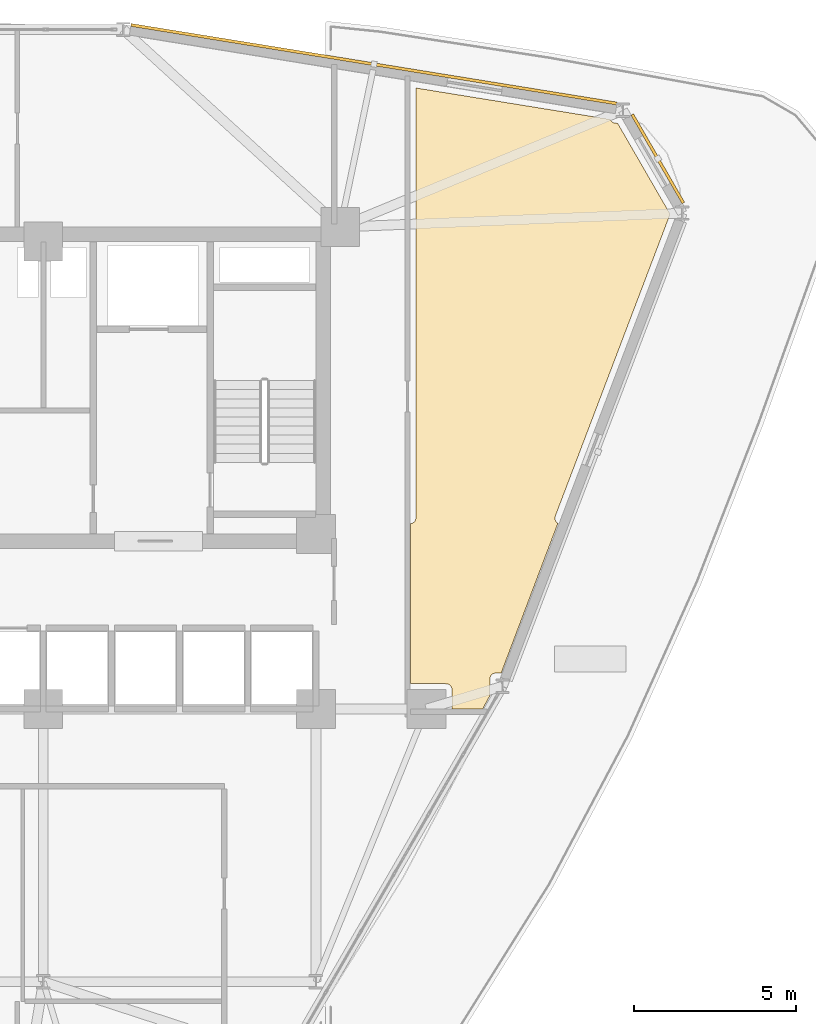
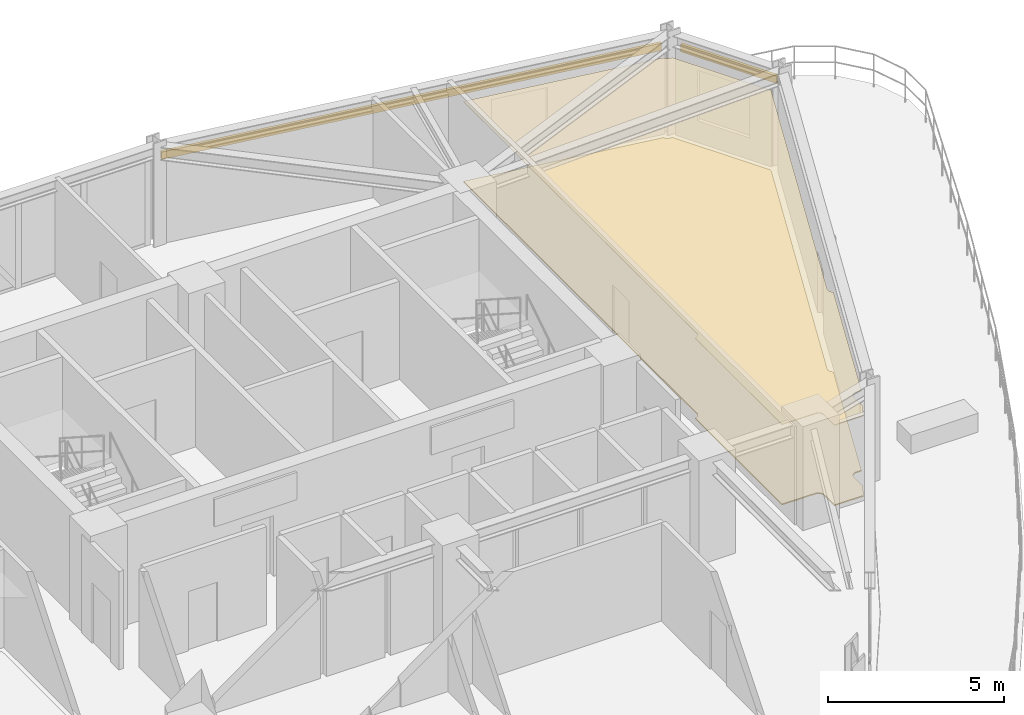
# One storey, part 18 of 18: 2 coverings, 2 shading devices.
"""IFC4 building model written with IfcOpenShell, lengths in metres."""

from ifc_helpers import new_model, si_unit, derived_unit, direction, frame, origin, origin_2d, place, context, subcontext, project, spatial, polyline, hollow_rectangle, outline, extrude, source, transform, mapped, material, layer, layer_set, material_profile, profile_set, type_object, element, save


model = new_model("IFC4")

# Units and contexts
model_context = context("Model", 3, precision=1e-05, world=origin(), true_north=direction((0.0, 1.0)))
body_context = subcontext(model_context, "Body", "Model", "MODEL_VIEW")
ifc_project = project(units=[si_unit("LENGTHUNIT", "METRE"), si_unit("AREAUNIT", "SQUARE_METRE"), si_unit("VOLUMEUNIT", "CUBIC_METRE"), si_unit("PLANEANGLEUNIT", "RADIAN"), si_unit("MASSUNIT", "GRAM", prefix="KILO"), derived_unit("THERMALTRANSMITTANCEUNIT", [(si_unit("POWERUNIT", "WATT"), 1), (si_unit("LENGTHUNIT", "METRE"), -2), (si_unit("THERMODYNAMICTEMPERATUREUNIT", "KELVIN"), -1)])], contexts=[model_context])

# Site, building, storey
site_placement = place(None, origin())
site = spatial("IfcSite", under=ifc_project, at=site_placement, CompositionType="ELEMENT")
building_placement = place(site_placement, origin())
building = spatial("IfcBuilding", under=site, at=building_placement, Name="Korsvarv Bourse and Concert Hall", CompositionType="ELEMENT")
storey_placement = place(building_placement, frame((0.0, 0.0, 136.199951171875)))
storey = spatial("IfcBuildingStorey", under=building, at=storey_placement, Name="L34", CompositionType="ELEMENT", Elevation=136.199951171875)

# Coverings
ifc_material_1 = material(Name="Perforated mineral-wool and birch acoustic baffle ceiling", Category="wood")
ifc_layer_1 = layer(ifc_material_1, 0.02490234375)
ifc_layer_set_1 = layer_set([ifc_layer_1], Name="Perforated mineral-wool and birch acoustic baffle ceiling")
covering_type_1 = type_object("IfcCoveringType", Name="COV-CEIL-1", PredefinedType="CEILING", material=ifc_layer_set_1)
covering_1_placement = place(storey_placement, frame((0.0, 0.0, 2.780029296875)))
element("IfcCovering", 1, at=covering_1_placement, inside=storey, type_object=covering_type_1, Name="L34 acoustic baffle ceiling 1", PredefinedType="CEILING", context=body_context, shape_type="SweptSolid", body=[
    extrude(outline(polyline([(47.320068359375, 38.111328125), (47.34521484375, 38.11572265625), (47.37939453125, 38.12841796875), (47.41015625, 38.147705078125), (47.4365234375, 38.1728515625), (47.45751953125, 38.20263671875), (47.4716796875, 38.236083984375), (47.47900390625, 38.271728515625), (47.47998046875, 51.533935546875), (53.472900390625, 50.564697265625), (53.48291015625, 50.542724609375), (53.50341796875, 50.512939453125), (53.529296875, 50.48779296875), (53.56005859375, 50.468505859375), (53.59375, 50.455810546875), (53.62939453125, 50.44970703125), (53.695556640625, 50.44580078125), (55.290283203125, 47.683837890625), (55.290283203125, 47.59326171875), (51.7744140625, 38.343505859375), (51.764892578125, 38.30810546875), (51.762939453125, 38.271728515625), (51.76806640625, 38.235595703125), (51.780517578125, 38.201416015625), (51.799560546875, 38.17041015625), (51.824462890625, 38.143798828125), (51.854248046875, 38.12255859375), (50.1083984375, 33.510009765625), (49.940185546875, 33.510009765625), (49.905517578125, 33.506591796875), (49.872314453125, 33.49658203125), (49.84130859375, 33.48046875), (49.814208984375, 33.458740234375), (49.7919921875, 33.43212890625), (49.77490234375, 33.401611328125), (49.764404296875, 33.36865234375), (49.760009765625, 33.333984375), (49.75, 32.888916015625), (49.752685546875, 32.853759765625), (49.762451171875, 32.819580078125), (49.52978515625, 32.394775390625), (49.5048828125, 32.402099609375), (49.469482421875, 32.405517578125), (48.590087890625, 32.4091796875), (48.590087890625, 33.0), (48.586669921875, 33.034912109375), (48.576416015625, 33.068603515625), (48.56005859375, 33.099609375), (48.537841796875, 33.126708984375), (48.5107421875, 33.149169921875), (48.47998046875, 33.166015625), (48.4462890625, 33.17626953125), (48.41162109375, 33.179931640625), (47.320068359375, 33.18896484375), (47.320068359375, 38.111328125)])), origin(), (0.0, 0.0, 1.0), 0.02490234375),
])
ifc_material_2 = material(Name="Calcium-sulphate raised access trading floor with Nordic oak top", Category="wood")
ifc_layer_2 = layer(ifc_material_2, 0.0400390625)
ifc_layer_set_2 = layer_set([ifc_layer_2], Name="Calcium-sulphate raised access trading floor with Nordic oak top")
covering_type_2 = type_object("IfcCoveringType", Name="COV-FLOR-1", PredefinedType="FLOORING", material=ifc_layer_set_2)
covering_2_placement = place(storey_placement, origin())
element("IfcCovering", 2, at=covering_2_placement, inside=storey, type_object=covering_type_2, Name="L34 raised access oak floor finish 1", PredefinedType="FLOORING", context=body_context, shape_type="SweptSolid", body=[
    extrude(outline(polyline([(47.320068359375, 38.111328125), (47.34521484375, 38.11572265625), (47.37939453125, 38.12841796875), (47.41015625, 38.147705078125), (47.4365234375, 38.1728515625), (47.45751953125, 38.20263671875), (47.4716796875, 38.236083984375), (47.47900390625, 38.271728515625), (47.47998046875, 51.533935546875), (53.472900390625, 50.564697265625), (53.48291015625, 50.542724609375), (53.50341796875, 50.512939453125), (53.529296875, 50.48779296875), (53.56005859375, 50.468505859375), (53.59375, 50.455810546875), (53.62939453125, 50.44970703125), (53.695556640625, 50.44580078125), (55.290283203125, 47.683837890625), (55.290283203125, 47.59326171875), (51.7744140625, 38.343505859375), (51.764892578125, 38.30810546875), (51.762939453125, 38.271728515625), (51.76806640625, 38.235595703125), (51.780517578125, 38.201416015625), (51.799560546875, 38.17041015625), (51.824462890625, 38.143798828125), (51.854248046875, 38.12255859375), (50.1083984375, 33.510009765625), (49.940185546875, 33.510009765625), (49.905517578125, 33.506591796875), (49.872314453125, 33.49658203125), (49.84130859375, 33.48046875), (49.814208984375, 33.458740234375), (49.7919921875, 33.43212890625), (49.77490234375, 33.401611328125), (49.764404296875, 33.36865234375), (49.760009765625, 33.333984375), (49.75, 32.888916015625), (49.752685546875, 32.853759765625), (49.762451171875, 32.819580078125), (49.52978515625, 32.394775390625), (49.5048828125, 32.402099609375), (49.469482421875, 32.405517578125), (48.590087890625, 32.4091796875), (48.590087890625, 33.0), (48.586669921875, 33.034912109375), (48.576416015625, 33.068603515625), (48.56005859375, 33.099609375), (48.537841796875, 33.126708984375), (48.5107421875, 33.149169921875), (48.47998046875, 33.166015625), (48.4462890625, 33.17626953125), (48.41162109375, 33.179931640625), (47.320068359375, 33.18896484375), (47.320068359375, 38.111328125)])), origin(), (0.0, 0.0, 1.0), 0.0400390625),
])

# Shading devices
ifc_material_3 = material(Name="Glazed extruded architectural terracotta", Category="ceramic")
ifc_material_profile = material_profile(ifc_material_3, hollow_rectangle(XDim=0.090087890625, YDim=0.260009765625, WallThickness=0.011962890625, at=origin_2d()), Name="TC-BAG 90x260")
ifc_profile_set = profile_set([ifc_material_profile], Name="Glazed extruded architectural terracotta")
shading_device_type = type_object("IfcShadingDeviceType", Name="SHD-BAG-1", PredefinedType="USERDEFINED", material=ifc_profile_set)
shared_shape_1 = source(origin(), body_context, "Body", "SweptSolid", [
    extrude(hollow_rectangle(XDim=0.090087890625, YDim=0.260009765625, WallThickness=0.011962890625, at=origin_2d()), origin(), (0.0, 0.0, 1.0), 3.1455078125),
])
shading_device_1_placement = place(storey_placement, frame((55.718017578125, 47.992919921875, 2.840087890625), z_axis=(-0.499995674689, 0.86602790099, 0.0), x_axis=(-0.86602790099, -0.499995674689, 0.0)))
element("IfcShadingDevice", 3, at=shading_device_1_placement, inside=storey, type_object=shading_device_type, Name="L34 terracotta baguette sunshade EW-L34-B01", ObjectType="BAGUETTE", PredefinedType="USERDEFINED", context=body_context, shape_type="MappedRepresentation", body=[
    mapped(shared_shape_1, transform((0.0, 0.0, 0.0), scale=1.0)),
])
shared_shape_2 = source(origin(), body_context, "Body", "SweptSolid", [
    extrude(hollow_rectangle(XDim=0.090087890625, YDim=0.260009765625, WallThickness=0.011962890625, at=origin_2d()), origin(), (0.0, 0.0, 1.0), 15.165283203125),
])
shading_device_2_placement = place(storey_placement, frame((53.67333984375, 51.053955078125, 2.840087890625), z_axis=(-0.987168443686, 0.159682384098, 0.0), x_axis=(-0.159682384098, -0.987168443686, 0.0)))
element("IfcShadingDevice", 4, at=shading_device_2_placement, inside=storey, type_object=shading_device_type, Name="L34 terracotta baguette sunshade EW-L34-B02", ObjectType="BAGUETTE", PredefinedType="USERDEFINED", context=body_context, shape_type="MappedRepresentation", body=[
    mapped(shared_shape_2, transform((0.0, 0.0, 0.0), scale=1.0)),
])

save(model, "model.ifc")
